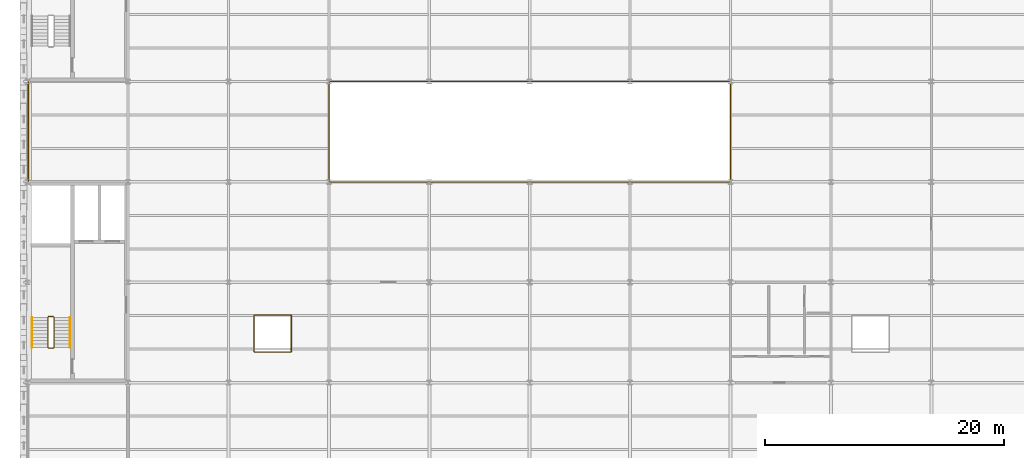
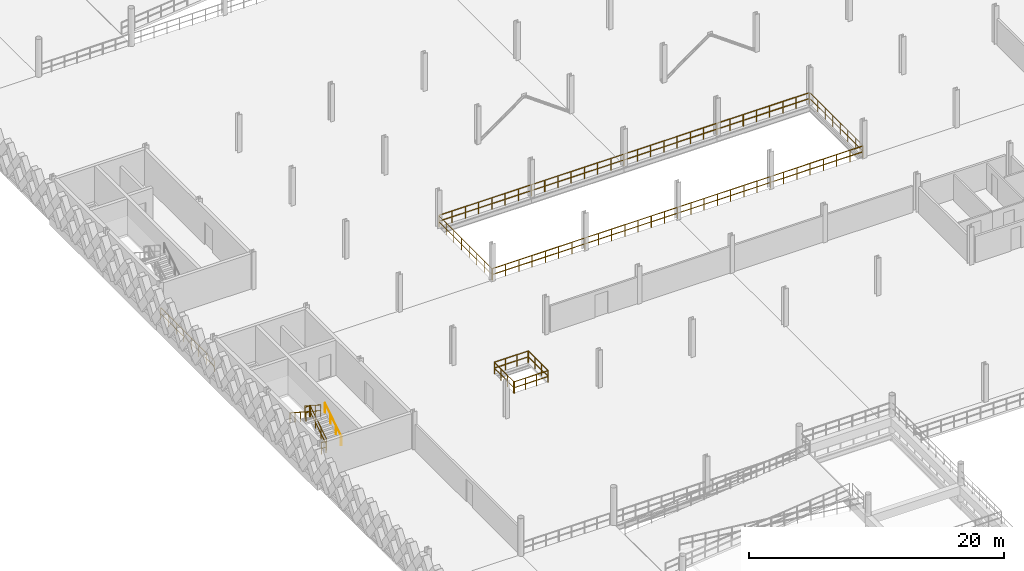
# One storey, part 93 of 101: 15 railings.
"""IFC4 building model written with IfcOpenShell, lengths in metres."""

from ifc_helpers import new_model, si_unit, direction, frame, origin, origin_2d, place, context, subcontext, project, spatial, circle, extrude, material, type_object, element, save


model = new_model("IFC4")

# Units and contexts
model_context = context("Model", 3, precision=1e-05, world=origin(), true_north=direction((0.0, 1.0)))
body_context = subcontext(model_context, "Body", "Model", "MODEL_VIEW")
ifc_project = project(units=[si_unit("LENGTHUNIT", "METRE"), si_unit("AREAUNIT", "SQUARE_METRE"), si_unit("VOLUMEUNIT", "CUBIC_METRE"), si_unit("PLANEANGLEUNIT", "RADIAN"), si_unit("MASSUNIT", "GRAM", prefix="KILO"), si_unit("THERMODYNAMICTEMPERATUREUNIT", "KELVIN"), si_unit("POWERUNIT", "WATT")], contexts=[model_context])

# Site, building, storey
site_placement = place(None, origin())
site = spatial("IfcSite", under=ifc_project, at=site_placement, CompositionType="ELEMENT")
building_placement = place(site_placement, origin())
building = spatial("IfcBuilding", under=site, at=building_placement, Name="Tembeka Court Mobility Hub", CompositionType="ELEMENT")
storey_placement = place(building_placement, frame((0.0, 0.0, 5.39990234375)))
storey = spatial("IfcBuildingStorey", under=building, at=storey_placement, Name="L01", CompositionType="ELEMENT", Elevation=5.39990234375)

# Railings
ifc_material_1 = material(Name="Painted galvanised steel balustrade", Category="steel")
railing_type_1 = type_object("IfcRailingType", Name="RL-GR01", PredefinedType="GUARDRAIL", material=ifc_material_1)
railing_1_placement = place(storey_placement, frame((18.97998046875, 40.949951171875, 0.0)))
element("IfcRailing", 1, at=railing_1_placement, inside=storey, type_object=railing_type_1, Name="Perimeter guard GR01-0045", PredefinedType="GUARDRAIL", context=body_context, shape_type="SweptSolid", body=[
    extrude(circle(Radius=0.02392578125, at=origin_2d()), frame((0.0, 0.0, 1.09619140625), z_axis=(1.0, 0.0, 0.0), x_axis=(0.0, 1.0, 0.0)), (0.0, 0.0, 1.0), 3.0400390625),
    extrude(circle(Radius=0.02392578125, at=origin_2d()), frame((0.0, 0.0, 0.5361328125), z_axis=(1.0, 0.0, 0.0), x_axis=(0.0, 1.0, 0.0)), (0.0, 0.0, 1.0), 3.0400390625),
    extrude(circle(Radius=0.02099609375, at=origin_2d()), origin(), (0.0, 0.0, 1.0), 1.072021484375),
    extrude(circle(Radius=0.02099609375, at=origin_2d()), frame((1.013427734375, 0.0, 0.0)), (0.0, 0.0, 1.0), 1.072021484375),
    extrude(circle(Radius=0.02099609375, at=origin_2d()), frame((2.026611328125, 0.0, 0.0)), (0.0, 0.0, 1.0), 1.072021484375),
    extrude(circle(Radius=0.02099609375, at=origin_2d()), frame((3.0400390625, 0.0, 0.0)), (0.0, 0.0, 1.0), 1.072021484375),
])
railing_2_placement = place(storey_placement, frame((22.050048828125, 40.97998046875, 0.0)))
element("IfcRailing", 2, at=railing_2_placement, inside=storey, type_object=railing_type_1, Name="Perimeter guard GR01-0046", PredefinedType="GUARDRAIL", context=body_context, shape_type="SweptSolid", body=[
    extrude(circle(Radius=0.02392578125, at=origin_2d()), frame((0.0, 0.0, 1.09619140625), z_axis=(0.0, 1.0, 0.0), x_axis=(-1.0, 0.0, 0.0)), (0.0, 0.0, 1.0), 3.0400390625),
    extrude(circle(Radius=0.02392578125, at=origin_2d()), frame((0.0, 0.0, 0.5361328125), z_axis=(0.0, 1.0, 0.0), x_axis=(-1.0, 0.0, 0.0)), (0.0, 0.0, 1.0), 3.0400390625),
    extrude(circle(Radius=0.02099609375, at=origin_2d()), origin(), (0.0, 0.0, 1.0), 1.072021484375),
    extrude(circle(Radius=0.02099609375, at=origin_2d()), frame((0.0, 1.013427734375, 0.0)), (0.0, 0.0, 1.0), 1.072021484375),
    extrude(circle(Radius=0.02099609375, at=origin_2d()), frame((0.0, 2.026611328125, 0.0)), (0.0, 0.0, 1.0), 1.072021484375),
    extrude(circle(Radius=0.02099609375, at=origin_2d()), frame((0.0, 3.0400390625, 0.0)), (0.0, 0.0, 1.0), 1.072021484375),
])
railing_3_placement = place(storey_placement, frame((22.02001953125, 44.050048828125, 0.0)))
element("IfcRailing", 3, at=railing_3_placement, inside=storey, type_object=railing_type_1, Name="Perimeter guard GR01-0047", PredefinedType="GUARDRAIL", context=body_context, shape_type="SweptSolid", body=[
    extrude(circle(Radius=0.02392578125, at=origin_2d()), frame((0.0, 0.0, 1.09619140625), z_axis=(-1.0, 0.0, 0.0), x_axis=(0.0, -1.0, 0.0)), (0.0, 0.0, 1.0), 3.0400390625),
    extrude(circle(Radius=0.02392578125, at=origin_2d()), frame((0.0, 0.0, 0.5361328125), z_axis=(-1.0, 0.0, 0.0), x_axis=(0.0, -1.0, 0.0)), (0.0, 0.0, 1.0), 3.0400390625),
    extrude(circle(Radius=0.02099609375, at=origin_2d()), origin(), (0.0, 0.0, 1.0), 1.072021484375),
    extrude(circle(Radius=0.02099609375, at=origin_2d()), frame((-1.013427734375, 0.0, 0.0)), (0.0, 0.0, 1.0), 1.072021484375),
    extrude(circle(Radius=0.02099609375, at=origin_2d()), frame((-2.026611328125, 0.0, 0.0)), (0.0, 0.0, 1.0), 1.072021484375),
    extrude(circle(Radius=0.02099609375, at=origin_2d()), frame((-3.0400390625, 0.0, 0.0)), (0.0, 0.0, 1.0), 1.072021484375),
])
railing_4_placement = place(storey_placement, frame((18.949951171875, 44.02001953125, 0.0)))
element("IfcRailing", 4, at=railing_4_placement, inside=storey, type_object=railing_type_1, Name="Perimeter guard GR01-0048", PredefinedType="GUARDRAIL", context=body_context, shape_type="SweptSolid", body=[
    extrude(circle(Radius=0.02392578125, at=origin_2d()), frame((0.0, 0.0, 1.09619140625), z_axis=(0.0, -1.0, 0.0), x_axis=(1.0, 0.0, 0.0)), (0.0, 0.0, 1.0), 3.0400390625),
    extrude(circle(Radius=0.02392578125, at=origin_2d()), frame((0.0, 0.0, 0.5361328125), z_axis=(0.0, -1.0, 0.0), x_axis=(1.0, 0.0, 0.0)), (0.0, 0.0, 1.0), 3.0400390625),
    extrude(circle(Radius=0.02099609375, at=origin_2d()), origin(), (0.0, 0.0, 1.0), 1.072021484375),
    extrude(circle(Radius=0.02099609375, at=origin_2d()), frame((0.0, -1.013427734375, 0.0)), (0.0, 0.0, 1.0), 1.072021484375),
    extrude(circle(Radius=0.02099609375, at=origin_2d()), frame((0.0, -2.026611328125, 0.0)), (0.0, 0.0, 1.0), 1.072021484375),
    extrude(circle(Radius=0.02099609375, at=origin_2d()), frame((0.0, -3.0400390625, 0.0)), (0.0, 0.0, 1.0), 1.072021484375),
])
railing_5_placement = place(storey_placement, frame((2.199951171875, 41.35009765625, 0.18017578125)))
element("IfcRailing", 5, at=railing_5_placement, inside=storey, type_object=railing_type_1, Name="L01 ST01 stair guard 1-1", PredefinedType="GUARDRAIL", context=body_context, shape_type="SweptSolid", body=[
    extrude(circle(Radius=0.02392578125, at=origin_2d()), frame((0.0, 0.0, 1.09619140625), z_axis=(0.0, 0.841199657755, 0.540724639528), x_axis=(-1.0, 0.0, 0.0)), (0.0, 0.0, 1.0), 2.995849609375),
    extrude(circle(Radius=0.02392578125, at=origin_2d()), frame((0.0, 0.0, 0.5361328125), z_axis=(0.0, 0.841199657755, 0.540724639528), x_axis=(-1.0, 0.0, 0.0)), (0.0, 0.0, 1.0), 2.995849609375),
    extrude(circle(Radius=0.02099609375, at=origin_2d()), origin(), (0.0, 0.0, 1.0), 1.072021484375),
    extrude(circle(Radius=0.02099609375, at=origin_2d()), frame((0.0, 0.840087890625, 0.5400390625)), (0.0, 0.0, 1.0), 1.072021484375),
    extrude(circle(Radius=0.02099609375, at=origin_2d()), frame((0.0, 1.679931640625, 1.079833984375)), (0.0, 0.0, 1.0), 1.072021484375),
    extrude(circle(Radius=0.02099609375, at=origin_2d()), frame((0.0, 2.52001953125, 1.619873046875)), (0.0, 0.0, 1.0), 1.072021484375),
])
railing_6_placement = place(storey_placement, frame((2.14990234375, 43.919921875, 1.800048828125)))
element("IfcRailing", 6, at=railing_6_placement, inside=storey, type_object=railing_type_1, Name="L01 ST01 stair guard 2-1", PredefinedType="GUARDRAIL", context=body_context, shape_type="SweptSolid", body=[
    extrude(circle(Radius=0.02392578125, at=origin_2d()), frame((0.0, 0.0, 1.09619140625), z_axis=(-1.0, 0.0, 0.0), x_axis=(0.0, -1.0, 0.0)), (0.0, 0.0, 1.0), 0.39990234375),
    extrude(circle(Radius=0.02392578125, at=origin_2d()), frame((0.0, 0.0, 0.5361328125), z_axis=(-1.0, 0.0, 0.0), x_axis=(0.0, -1.0, 0.0)), (0.0, 0.0, 1.0), 0.39990234375),
    extrude(circle(Radius=0.02099609375, at=origin_2d()), origin(), (0.0, 0.0, 1.0), 1.072021484375),
    extrude(circle(Radius=0.02099609375, at=origin_2d()), frame((-0.39990234375, 0.0, 0.0)), (0.0, 0.0, 1.0), 1.072021484375),
])
railing_7_placement = place(storey_placement, frame((1.699951171875, 43.8701171875, 1.97998046875)))
element("IfcRailing", 7, at=railing_7_placement, inside=storey, type_object=railing_type_1, Name="L01 ST01 stair guard 3-1", PredefinedType="GUARDRAIL", context=body_context, shape_type="SweptSolid", body=[
    extrude(circle(Radius=0.02392578125, at=origin_2d()), frame((0.0, 0.0, 1.09619140625), z_axis=(0.0, -0.841162588446, 0.540782303519), x_axis=(1.0, 0.0, 0.0)), (0.0, 0.0, 1.0), 2.995849609375),
    extrude(circle(Radius=0.02392578125, at=origin_2d()), frame((0.0, 0.0, 0.5361328125), z_axis=(0.0, -0.841162588446, 0.540782303519), x_axis=(1.0, 0.0, 0.0)), (0.0, 0.0, 1.0), 2.995849609375),
    extrude(circle(Radius=0.02099609375, at=origin_2d()), origin(), (0.0, 0.0, 1.0), 1.072021484375),
    extrude(circle(Radius=0.02099609375, at=origin_2d()), frame((0.0, -0.840087890625, 0.5400390625)), (0.0, 0.0, 1.0), 1.072021484375),
    extrude(circle(Radius=0.02099609375, at=origin_2d()), frame((0.0, -1.679931640625, 1.080078125)), (0.0, 0.0, 1.0), 1.072021484375),
    extrude(circle(Radius=0.02099609375, at=origin_2d()), frame((0.0, -2.52001953125, 1.6201171875)), (0.0, 0.0, 1.0), 1.072021484375),
])
railing_8_placement = place(storey_placement, frame((2.14990234375, 41.300048828125, 0.0)))
element("IfcRailing", 8, at=railing_8_placement, inside=storey, type_object=railing_type_1, Name="L01 ST01 stair guard 4-1", PredefinedType="GUARDRAIL", context=body_context, shape_type="SweptSolid", body=[
    extrude(circle(Radius=0.02392578125, at=origin_2d()), frame((0.0, 0.0, 1.09619140625), z_axis=(-1.0, 0.0, 0.0), x_axis=(0.0, -1.0, 0.0)), (0.0, 0.0, 1.0), 0.39990234375),
    extrude(circle(Radius=0.02392578125, at=origin_2d()), frame((0.0, 0.0, 0.5361328125), z_axis=(-1.0, 0.0, 0.0), x_axis=(0.0, -1.0, 0.0)), (0.0, 0.0, 1.0), 0.39990234375),
    extrude(circle(Radius=0.02099609375, at=origin_2d()), origin(), (0.0, 0.0, 1.0), 1.072021484375),
    extrude(circle(Radius=0.02099609375, at=origin_2d()), frame((-0.39990234375, 0.0, 0.0)), (0.0, 0.0, 1.0), 1.072021484375),
])
railing_type_2 = type_object("IfcRailingType", Name="RL-GR02", PredefinedType="GUARDRAIL", material=ifc_material_1)
railing_9_placement = place(storey_placement, frame((25.22998046875, 55.199951171875, 0.0)))
element("IfcRailing", 9, at=railing_9_placement, inside=storey, type_object=railing_type_2, Name="Perimeter guard GR02-0041", PredefinedType="GUARDRAIL", context=body_context, shape_type="SweptSolid", body=[
    extrude(circle(Radius=0.02392578125, at=origin_2d()), frame((0.0, 0.0, 1.09619140625), z_axis=(1.0, 0.0, 0.0), x_axis=(0.0, 1.0, 0.0)), (0.0, 0.0, 1.0), 33.5400390625),
    extrude(circle(Radius=0.02392578125, at=origin_2d()), frame((0.0, 0.0, 0.5361328125), z_axis=(1.0, 0.0, 0.0), x_axis=(0.0, 1.0, 0.0)), (0.0, 0.0, 1.0), 33.5400390625),
    extrude(circle(Radius=0.02099609375, at=origin_2d()), origin(), (0.0, 0.0, 1.0), 1.072021484375),
    extrude(circle(Radius=0.02099609375, at=origin_2d()), frame((1.19775390625, 0.0, 0.0)), (0.0, 0.0, 1.0), 1.072021484375),
    extrude(circle(Radius=0.02099609375, at=origin_2d()), frame((2.395751953125, 0.0, 0.0)), (0.0, 0.0, 1.0), 1.072021484375),
    extrude(circle(Radius=0.02099609375, at=origin_2d()), frame((3.593505859375, 0.0, 0.0)), (0.0, 0.0, 1.0), 1.072021484375),
    extrude(circle(Radius=0.02099609375, at=origin_2d()), frame((4.79150390625, 0.0, 0.0)), (0.0, 0.0, 1.0), 1.072021484375),
    extrude(circle(Radius=0.02099609375, at=origin_2d()), frame((5.9892578125, 0.0, 0.0)), (0.0, 0.0, 1.0), 1.072021484375),
    extrude(circle(Radius=0.02099609375, at=origin_2d()), frame((7.187255859375, 0.0, 0.0)), (0.0, 0.0, 1.0), 1.072021484375),
    extrude(circle(Radius=0.02099609375, at=origin_2d()), frame((8.385009765625, 0.0, 0.0)), (0.0, 0.0, 1.0), 1.072021484375),
    extrude(circle(Radius=0.02099609375, at=origin_2d()), frame((9.582763671875, 0.0, 0.0)), (0.0, 0.0, 1.0), 1.072021484375),
    extrude(circle(Radius=0.02099609375, at=origin_2d()), frame((10.78076171875, 0.0, 0.0)), (0.0, 0.0, 1.0), 1.072021484375),
    extrude(circle(Radius=0.02099609375, at=origin_2d()), frame((11.978515625, 0.0, 0.0)), (0.0, 0.0, 1.0), 1.072021484375),
    extrude(circle(Radius=0.02099609375, at=origin_2d()), frame((13.176513671875, 0.0, 0.0)), (0.0, 0.0, 1.0), 1.072021484375),
    extrude(circle(Radius=0.02099609375, at=origin_2d()), frame((14.374267578125, 0.0, 0.0)), (0.0, 0.0, 1.0), 1.072021484375),
    extrude(circle(Radius=0.02099609375, at=origin_2d()), frame((15.572265625, 0.0, 0.0)), (0.0, 0.0, 1.0), 1.072021484375),
    extrude(circle(Radius=0.02099609375, at=origin_2d()), frame((16.77001953125, 0.0, 0.0)), (0.0, 0.0, 1.0), 1.072021484375),
    extrude(circle(Radius=0.02099609375, at=origin_2d()), frame((17.9677734375, 0.0, 0.0)), (0.0, 0.0, 1.0), 1.072021484375),
    extrude(circle(Radius=0.02099609375, at=origin_2d()), frame((19.165771484375, 0.0, 0.0)), (0.0, 0.0, 1.0), 1.072021484375),
    extrude(circle(Radius=0.02099609375, at=origin_2d()), frame((20.363525390625, 0.0, 0.0)), (0.0, 0.0, 1.0), 1.072021484375),
    extrude(circle(Radius=0.02099609375, at=origin_2d()), frame((21.5615234375, 0.0, 0.0)), (0.0, 0.0, 1.0), 1.072021484375),
    extrude(circle(Radius=0.02099609375, at=origin_2d()), frame((22.75927734375, 0.0, 0.0)), (0.0, 0.0, 1.0), 1.072021484375),
    extrude(circle(Radius=0.02099609375, at=origin_2d()), frame((23.957275390625, 0.0, 0.0)), (0.0, 0.0, 1.0), 1.072021484375),
    extrude(circle(Radius=0.02099609375, at=origin_2d()), frame((25.155029296875, 0.0, 0.0)), (0.0, 0.0, 1.0), 1.072021484375),
    extrude(circle(Radius=0.02099609375, at=origin_2d()), frame((26.352783203125, 0.0, 0.0)), (0.0, 0.0, 1.0), 1.072021484375),
    extrude(circle(Radius=0.02099609375, at=origin_2d()), frame((27.55078125, 0.0, 0.0)), (0.0, 0.0, 1.0), 1.072021484375),
    extrude(circle(Radius=0.02099609375, at=origin_2d()), frame((28.74853515625, 0.0, 0.0)), (0.0, 0.0, 1.0), 1.072021484375),
    extrude(circle(Radius=0.02099609375, at=origin_2d()), frame((29.946533203125, 0.0, 0.0)), (0.0, 0.0, 1.0), 1.072021484375),
    extrude(circle(Radius=0.02099609375, at=origin_2d()), frame((31.144287109375, 0.0, 0.0)), (0.0, 0.0, 1.0), 1.072021484375),
    extrude(circle(Radius=0.02099609375, at=origin_2d()), frame((32.34228515625, 0.0, 0.0)), (0.0, 0.0, 1.0), 1.072021484375),
    extrude(circle(Radius=0.02099609375, at=origin_2d()), frame((33.5400390625, 0.0, 0.0)), (0.0, 0.0, 1.0), 1.072021484375),
])
railing_10_placement = place(storey_placement, frame((58.800048828125, 55.22998046875, 0.0)))
element("IfcRailing", 10, at=railing_10_placement, inside=storey, type_object=railing_type_2, Name="Perimeter guard GR02-0042", PredefinedType="GUARDRAIL", context=body_context, shape_type="SweptSolid", body=[
    extrude(circle(Radius=0.02392578125, at=origin_2d()), frame((0.0, 0.0, 1.09619140625), z_axis=(0.0, 1.0, 0.0), x_axis=(-1.0, 0.0, 0.0)), (0.0, 0.0, 1.0), 8.340087890625),
    extrude(circle(Radius=0.02392578125, at=origin_2d()), frame((0.0, 0.0, 0.5361328125), z_axis=(0.0, 1.0, 0.0), x_axis=(-1.0, 0.0, 0.0)), (0.0, 0.0, 1.0), 8.340087890625),
    extrude(circle(Radius=0.02099609375, at=origin_2d()), origin(), (0.0, 0.0, 1.0), 1.072021484375),
    extrude(circle(Radius=0.02099609375, at=origin_2d()), frame((0.0, 1.19140625, 0.0)), (0.0, 0.0, 1.0), 1.072021484375),
    extrude(circle(Radius=0.02099609375, at=origin_2d()), frame((0.0, 2.3828125, 0.0)), (0.0, 0.0, 1.0), 1.072021484375),
    extrude(circle(Radius=0.02099609375, at=origin_2d()), frame((0.0, 3.57421875, 0.0)), (0.0, 0.0, 1.0), 1.072021484375),
    extrude(circle(Radius=0.02099609375, at=origin_2d()), frame((0.0, 4.765869140625, 0.0)), (0.0, 0.0, 1.0), 1.072021484375),
    extrude(circle(Radius=0.02099609375, at=origin_2d()), frame((0.0, 5.957275390625, 0.0)), (0.0, 0.0, 1.0), 1.072021484375),
    extrude(circle(Radius=0.02099609375, at=origin_2d()), frame((0.0, 7.148681640625, 0.0)), (0.0, 0.0, 1.0), 1.072021484375),
    extrude(circle(Radius=0.02099609375, at=origin_2d()), frame((0.0, 8.340087890625, 0.0)), (0.0, 0.0, 1.0), 1.072021484375),
])
railing_11_placement = place(storey_placement, frame((58.77001953125, 63.60009765625, 0.0)))
element("IfcRailing", 11, at=railing_11_placement, inside=storey, type_object=railing_type_2, Name="Perimeter guard GR02-0043", PredefinedType="GUARDRAIL", context=body_context, shape_type="SweptSolid", body=[
    extrude(circle(Radius=0.02392578125, at=origin_2d()), frame((0.0, 0.0, 1.09619140625), z_axis=(-1.0, 0.0, 0.0), x_axis=(0.0, -1.0, 0.0)), (0.0, 0.0, 1.0), 33.5400390625),
    extrude(circle(Radius=0.02392578125, at=origin_2d()), frame((0.0, 0.0, 0.5361328125), z_axis=(-1.0, 0.0, 0.0), x_axis=(0.0, -1.0, 0.0)), (0.0, 0.0, 1.0), 33.5400390625),
    extrude(circle(Radius=0.02099609375, at=origin_2d()), origin(), (0.0, 0.0, 1.0), 1.072021484375),
    extrude(circle(Radius=0.02099609375, at=origin_2d()), frame((-1.19775390625, 0.0, 0.0)), (0.0, 0.0, 1.0), 1.072021484375),
    extrude(circle(Radius=0.02099609375, at=origin_2d()), frame((-2.395751953125, 0.0, 0.0)), (0.0, 0.0, 1.0), 1.072021484375),
    extrude(circle(Radius=0.02099609375, at=origin_2d()), frame((-3.593505859375, 0.0, 0.0)), (0.0, 0.0, 1.0), 1.072021484375),
    extrude(circle(Radius=0.02099609375, at=origin_2d()), frame((-4.79150390625, 0.0, 0.0)), (0.0, 0.0, 1.0), 1.072021484375),
    extrude(circle(Radius=0.02099609375, at=origin_2d()), frame((-5.9892578125, 0.0, 0.0)), (0.0, 0.0, 1.0), 1.072021484375),
    extrude(circle(Radius=0.02099609375, at=origin_2d()), frame((-7.187255859375, 0.0, 0.0)), (0.0, 0.0, 1.0), 1.072021484375),
    extrude(circle(Radius=0.02099609375, at=origin_2d()), frame((-8.385009765625, 0.0, 0.0)), (0.0, 0.0, 1.0), 1.072021484375),
    extrude(circle(Radius=0.02099609375, at=origin_2d()), frame((-9.582763671875, 0.0, 0.0)), (0.0, 0.0, 1.0), 1.072021484375),
    extrude(circle(Radius=0.02099609375, at=origin_2d()), frame((-10.78076171875, 0.0, 0.0)), (0.0, 0.0, 1.0), 1.072021484375),
    extrude(circle(Radius=0.02099609375, at=origin_2d()), frame((-11.978515625, 0.0, 0.0)), (0.0, 0.0, 1.0), 1.072021484375),
    extrude(circle(Radius=0.02099609375, at=origin_2d()), frame((-13.176513671875, 0.0, 0.0)), (0.0, 0.0, 1.0), 1.072021484375),
    extrude(circle(Radius=0.02099609375, at=origin_2d()), frame((-14.374267578125, 0.0, 0.0)), (0.0, 0.0, 1.0), 1.072021484375),
    extrude(circle(Radius=0.02099609375, at=origin_2d()), frame((-15.572265625, 0.0, 0.0)), (0.0, 0.0, 1.0), 1.072021484375),
    extrude(circle(Radius=0.02099609375, at=origin_2d()), frame((-16.77001953125, 0.0, 0.0)), (0.0, 0.0, 1.0), 1.072021484375),
    extrude(circle(Radius=0.02099609375, at=origin_2d()), frame((-17.9677734375, 0.0, 0.0)), (0.0, 0.0, 1.0), 1.072021484375),
    extrude(circle(Radius=0.02099609375, at=origin_2d()), frame((-19.165771484375, 0.0, 0.0)), (0.0, 0.0, 1.0), 1.072021484375),
    extrude(circle(Radius=0.02099609375, at=origin_2d()), frame((-20.363525390625, 0.0, 0.0)), (0.0, 0.0, 1.0), 1.072021484375),
    extrude(circle(Radius=0.02099609375, at=origin_2d()), frame((-21.5615234375, 0.0, 0.0)), (0.0, 0.0, 1.0), 1.072021484375),
    extrude(circle(Radius=0.02099609375, at=origin_2d()), frame((-22.75927734375, 0.0, 0.0)), (0.0, 0.0, 1.0), 1.072021484375),
    extrude(circle(Radius=0.02099609375, at=origin_2d()), frame((-23.957275390625, 0.0, 0.0)), (0.0, 0.0, 1.0), 1.072021484375),
    extrude(circle(Radius=0.02099609375, at=origin_2d()), frame((-25.155029296875, 0.0, 0.0)), (0.0, 0.0, 1.0), 1.072021484375),
    extrude(circle(Radius=0.02099609375, at=origin_2d()), frame((-26.352783203125, 0.0, 0.0)), (0.0, 0.0, 1.0), 1.072021484375),
    extrude(circle(Radius=0.02099609375, at=origin_2d()), frame((-27.55078125, 0.0, 0.0)), (0.0, 0.0, 1.0), 1.072021484375),
    extrude(circle(Radius=0.02099609375, at=origin_2d()), frame((-28.74853515625, 0.0, 0.0)), (0.0, 0.0, 1.0), 1.072021484375),
    extrude(circle(Radius=0.02099609375, at=origin_2d()), frame((-29.946533203125, 0.0, 0.0)), (0.0, 0.0, 1.0), 1.072021484375),
    extrude(circle(Radius=0.02099609375, at=origin_2d()), frame((-31.144287109375, 0.0, 0.0)), (0.0, 0.0, 1.0), 1.072021484375),
    extrude(circle(Radius=0.02099609375, at=origin_2d()), frame((-32.34228515625, 0.0, 0.0)), (0.0, 0.0, 1.0), 1.072021484375),
    extrude(circle(Radius=0.02099609375, at=origin_2d()), frame((-33.5400390625, 0.0, 0.0)), (0.0, 0.0, 1.0), 1.072021484375),
])
railing_12_placement = place(storey_placement, frame((25.199951171875, 63.570068359375, 0.0)))
element("IfcRailing", 12, at=railing_12_placement, inside=storey, type_object=railing_type_2, Name="Perimeter guard GR02-0044", PredefinedType="GUARDRAIL", context=body_context, shape_type="SweptSolid", body=[
    extrude(circle(Radius=0.02392578125, at=origin_2d()), frame((0.0, 0.0, 1.09619140625), z_axis=(0.0, -1.0, 0.0), x_axis=(1.0, 0.0, 0.0)), (0.0, 0.0, 1.0), 8.340087890625),
    extrude(circle(Radius=0.02392578125, at=origin_2d()), frame((0.0, 0.0, 0.5361328125), z_axis=(0.0, -1.0, 0.0), x_axis=(1.0, 0.0, 0.0)), (0.0, 0.0, 1.0), 8.340087890625),
    extrude(circle(Radius=0.02099609375, at=origin_2d()), origin(), (0.0, 0.0, 1.0), 1.072021484375),
    extrude(circle(Radius=0.02099609375, at=origin_2d()), frame((0.0, -1.19140625, 0.0)), (0.0, 0.0, 1.0), 1.072021484375),
    extrude(circle(Radius=0.02099609375, at=origin_2d()), frame((0.0, -2.3828125, 0.0)), (0.0, 0.0, 1.0), 1.072021484375),
    extrude(circle(Radius=0.02099609375, at=origin_2d()), frame((0.0, -3.57421875, 0.0)), (0.0, 0.0, 1.0), 1.072021484375),
    extrude(circle(Radius=0.02099609375, at=origin_2d()), frame((0.0, -4.765869140625, 0.0)), (0.0, 0.0, 1.0), 1.072021484375),
    extrude(circle(Radius=0.02099609375, at=origin_2d()), frame((0.0, -5.957275390625, 0.0)), (0.0, 0.0, 1.0), 1.072021484375),
    extrude(circle(Radius=0.02099609375, at=origin_2d()), frame((0.0, -7.148681640625, 0.0)), (0.0, 0.0, 1.0), 1.072021484375),
    extrude(circle(Radius=0.02099609375, at=origin_2d()), frame((0.0, -8.340087890625, 0.0)), (0.0, 0.0, 1.0), 1.072021484375),
])
railing_13_placement = place(storey_placement, frame((0.050048828125, 55.22998046875, 0.0)))
element("IfcRailing", 13, at=railing_13_placement, inside=storey, type_object=railing_type_2, Name="Perimeter guard GR02-0064", PredefinedType="GUARDRAIL", context=body_context, shape_type="SweptSolid", body=[
    extrude(circle(Radius=0.02392578125, at=origin_2d()), frame((0.0, 0.0, 1.09619140625), z_axis=(0.0, 1.0, 0.0), x_axis=(-1.0, 0.0, 0.0)), (0.0, 0.0, 1.0), 8.340087890625),
    extrude(circle(Radius=0.02392578125, at=origin_2d()), frame((0.0, 0.0, 0.5361328125), z_axis=(0.0, 1.0, 0.0), x_axis=(-1.0, 0.0, 0.0)), (0.0, 0.0, 1.0), 8.340087890625),
    extrude(circle(Radius=0.02099609375, at=origin_2d()), origin(), (0.0, 0.0, 1.0), 1.072021484375),
    extrude(circle(Radius=0.02099609375, at=origin_2d()), frame((0.0, 1.19140625, 0.0)), (0.0, 0.0, 1.0), 1.072021484375),
    extrude(circle(Radius=0.02099609375, at=origin_2d()), frame((0.0, 2.3828125, 0.0)), (0.0, 0.0, 1.0), 1.072021484375),
    extrude(circle(Radius=0.02099609375, at=origin_2d()), frame((0.0, 3.57421875, 0.0)), (0.0, 0.0, 1.0), 1.072021484375),
    extrude(circle(Radius=0.02099609375, at=origin_2d()), frame((0.0, 4.765869140625, 0.0)), (0.0, 0.0, 1.0), 1.072021484375),
    extrude(circle(Radius=0.02099609375, at=origin_2d()), frame((0.0, 5.957275390625, 0.0)), (0.0, 0.0, 1.0), 1.072021484375),
    extrude(circle(Radius=0.02099609375, at=origin_2d()), frame((0.0, 7.148681640625, 0.0)), (0.0, 0.0, 1.0), 1.072021484375),
    extrude(circle(Radius=0.02099609375, at=origin_2d()), frame((0.0, 8.340087890625, 0.0)), (0.0, 0.0, 1.0), 1.072021484375),
])
ifc_material_2 = material(Name="Brushed stainless steel handrail", Category="steel")
railing_type_3 = type_object("IfcRailingType", Name="RL-HR01", PredefinedType="HANDRAIL", material=ifc_material_2)
railing_14_placement = place(storey_placement, frame((3.550048828125, 41.35009765625, 0.18017578125)))
element("IfcRailing", 14, at=railing_14_placement, inside=storey, type_object=railing_type_3, Name="L01 ST01 handrail 1-1", PredefinedType="HANDRAIL", context=body_context, shape_type="SweptSolid", body=[
    extrude(circle(Radius=0.02392578125, at=origin_2d()), frame((0.0, 0.0, 0.89599609375), z_axis=(0.0, 0.841199657755, 0.540724639528), x_axis=(-1.0, 0.0, 0.0)), (0.0, 0.0, 1.0), 2.995849609375),
    extrude(circle(Radius=0.02099609375, at=origin_2d()), origin(), (0.0, 0.0, 1.0), 0.871826171875),
    extrude(circle(Radius=0.02099609375, at=origin_2d()), frame((0.0, 0.840087890625, 0.5400390625)), (0.0, 0.0, 1.0), 0.871826171875),
    extrude(circle(Radius=0.02099609375, at=origin_2d()), frame((0.0, 1.679931640625, 1.079833984375)), (0.0, 0.0, 1.0), 0.871826171875),
    extrude(circle(Radius=0.02099609375, at=origin_2d()), frame((0.0, 2.52001953125, 1.619873046875)), (0.0, 0.0, 1.0), 0.871826171875),
])
railing_15_placement = place(storey_placement, frame((0.35009765625, 43.8701171875, 1.97998046875)))
element("IfcRailing", 15, at=railing_15_placement, inside=storey, type_object=railing_type_3, Name="L01 ST01 handrail 2-1", PredefinedType="HANDRAIL", context=body_context, shape_type="SweptSolid", body=[
    extrude(circle(Radius=0.02392578125, at=origin_2d()), frame((0.0, 0.0, 0.89599609375), z_axis=(0.0, -0.841162588446, 0.540782303519), x_axis=(1.0, 0.0, 0.0)), (0.0, 0.0, 1.0), 2.995849609375),
    extrude(circle(Radius=0.02099609375, at=origin_2d()), origin(), (0.0, 0.0, 1.0), 0.871826171875),
    extrude(circle(Radius=0.02099609375, at=origin_2d()), frame((0.0, -0.840087890625, 0.5400390625)), (0.0, 0.0, 1.0), 0.871826171875),
    extrude(circle(Radius=0.02099609375, at=origin_2d()), frame((0.0, -1.679931640625, 1.080078125)), (0.0, 0.0, 1.0), 0.871826171875),
    extrude(circle(Radius=0.02099609375, at=origin_2d()), frame((0.0, -2.52001953125, 1.6201171875)), (0.0, 0.0, 1.0), 0.871826171875),
])

save(model, "model.ifc")
